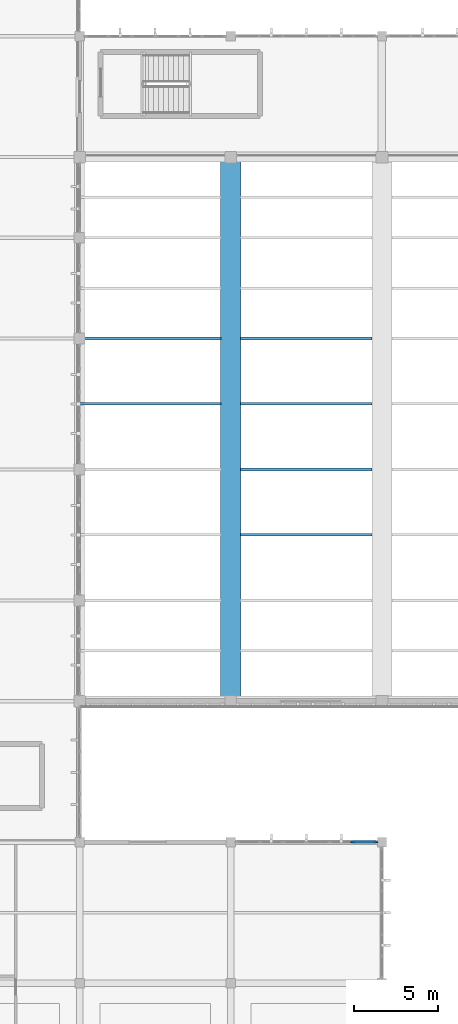
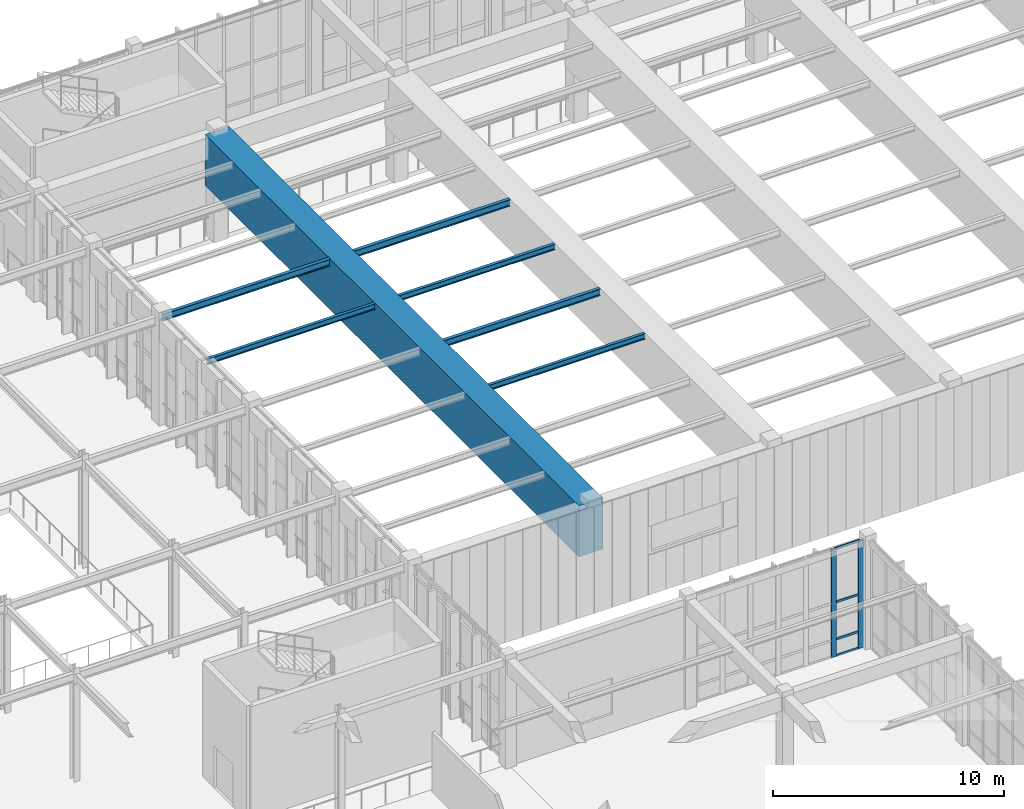
# One storey, part 27 of 105: 7 beams, 6 members, 1 element without a shape of its own.
"""IFC4 building model written with IfcOpenShell, lengths in metres."""

import ifcopenshell
import ifcopenshell.guid

model = None  # the IFC model being written
_history = None  # IfcOwnerHistory: only IFC2X3 demands one
_inside = {}  # id of a spatial element -> (the spatial element, [elements in it])
_under = {}  # id of a project, library or spatial element -> (it, [spatial elements below it])
_declared = {}  # id of a project -> (the project, [libraries it declares])
_typed = {}  # id of a type object -> (the type object, [elements of that type])
_made_of = {}  # id of a material, layer set ... -> (it, [elements and type objects made of it])


def new_model(schema):
    """Start an empty IFC model of exactly this schema.

    Asked for "IFC4X3", IfcOpenShell would pick the latest addendum, in which some entities
    have other attributes; the version numbers below select the first issue.
    IFC2X3 requires an IfcOwnerHistory on every rooted entity: one is made here for all.
    """
    global model, _history
    if schema == "IFC4X3":
        model = ifcopenshell.file(schema_version=(4, 3, 0, 0))
    else:
        model = ifcopenshell.file(schema=schema)
    _inside.clear()
    _under.clear()
    _declared.clear()
    _typed.clear()
    _made_of.clear()
    _history = None
    if model.schema == "IFC2X3":
        org = make("IfcOrganization", Name="unknown")
        user = make(
            "IfcPersonAndOrganization",
            ThePerson=make("IfcPerson", FamilyName="unknown"),
            TheOrganization=org,
        )
        app = make(
            "IfcApplication",
            ApplicationDeveloper=org,
            Version="unknown",
            ApplicationFullName="unknown",
            ApplicationIdentifier="unknown",
        )
        _history = make(
            "IfcOwnerHistory",
            OwningUser=user,
            OwningApplication=app,
            ChangeAction="ADDED",
            CreationDate=0,
        )
    return model


def make(cls, **values):
    """One entity of the class cls with the attributes given. An attribute that is None is left unset."""
    return model.create_entity(
        cls, **{name: value for name, value in values.items() if value is not None}
    )


def rooted(cls, **values):
    """An entity with a GlobalId (a new one), such as an element, a storey or a relation."""
    return make(cls, GlobalId=ifcopenshell.guid.new(), OwnerHistory=_history, **values)


def si_unit(unit_type, name, prefix=None):
    """IfcSIUnit, for example si_unit("LENGTHUNIT", "METRE", prefix="MILLI")."""
    return make("IfcSIUnit", UnitType=unit_type, Prefix=prefix, Name=name)


def assignment(units):
    """IfcUnitAssignment: the units of a project."""
    return None if units is None else make("IfcUnitAssignment", Units=units)


def point(xyz):
    """IfcCartesianPoint."""
    return None if xyz is None else make("IfcCartesianPoint", Coordinates=xyz)


def direction(xyz):
    """IfcDirection."""
    return None if xyz is None else make("IfcDirection", DirectionRatios=xyz)


def frame(location, z_axis=None, x_axis=None):
    """IfcAxis2Placement3D, a coordinate frame: its origin and axes. An axis left out is left unset."""
    return make(
        "IfcAxis2Placement3D",
        Location=point(location),
        Axis=direction(z_axis),
        RefDirection=direction(x_axis),
    )


def frame_2d(location, x_axis=None):
    """IfcAxis2Placement2D, a coordinate frame in the plane: its origin and x axis."""
    return make(
        "IfcAxis2Placement2D", Location=point(location), RefDirection=direction(x_axis)
    )


def origin():
    """The frame at (0, 0, 0) with its axes left unset."""
    return frame((0.0, 0.0, 0.0))


def origin_2d():
    """The frame at (0, 0) in the plane with its x axis left unset."""
    return frame_2d((0.0, 0.0))


def place(relative_to, where):
    """IfcLocalPlacement: puts the frame where relative to a parent placement (None: the world)."""
    return make(
        "IfcLocalPlacement", PlacementRelTo=relative_to, RelativePlacement=where
    )


def context(
    kind, dimensions, precision=None, world=None, true_north=None, identifier=None
):
    """IfcGeometricRepresentationContext, for example the 3D "Model" context."""
    return make(
        "IfcGeometricRepresentationContext",
        ContextIdentifier=identifier,
        ContextType=kind,
        CoordinateSpaceDimension=dimensions,
        Precision=precision,
        WorldCoordinateSystem=world,
        TrueNorth=true_north,
    )


def subcontext(parent, identifier, kind, view, scale=None):
    """IfcGeometricRepresentationSubContext, for example "Body" below "Model"."""
    return make(
        "IfcGeometricRepresentationSubContext",
        ContextIdentifier=identifier,
        ContextType=kind,
        ParentContext=parent,
        TargetScale=scale,
        TargetView=view,
    )


def project(units=None, contexts=None):
    """IfcProject with its units and contexts."""
    return rooted(
        "IfcProject",
        Name="project",
        RepresentationContexts=contexts,
        UnitsInContext=assignment(units),
    )


def spatial(cls, under=None, at=None, **own):
    """A site, building, storey or space (cls), placed at a placement, below another one or the project."""
    s = rooted(cls, ObjectPlacement=at, **own)
    if under is not None:
        _under.setdefault(under.id(), (under, []))[1].append(s)
    return s


def profile(cls, at=None, kind="AREA", **sizes):
    """A parametric profile (cls). Its sizes go by their IFC names, for example OverallWidth=200.0."""
    return make(cls, ProfileType=kind, Position=at, **sizes)


def rectangle(**sizes):
    """IfcRectangleProfileDef."""
    return profile("IfcRectangleProfileDef", **sizes)


def i_section(**sizes):
    """IfcIShapeProfileDef."""
    return profile("IfcIShapeProfileDef", **sizes)


def extrude(swept, where, along, depth):
    """IfcExtrudedAreaSolid: the profile swept, set in the frame where, extruded along a direction by depth."""
    return make(
        "IfcExtrudedAreaSolid",
        SweptArea=swept,
        Position=where,
        ExtrudedDirection=direction(along),
        Depth=depth,
    )


def shape(context_of_items, identifier, shape_type, items):
    """IfcShapeRepresentation: the items that make up one representation, for example the "Body"."""
    return make(
        "IfcShapeRepresentation",
        ContextOfItems=context_of_items,
        RepresentationIdentifier=identifier,
        RepresentationType=shape_type,
        Items=items,
    )


def material(Name=None, Category=None):
    """IfcMaterial."""
    return make("IfcMaterial", Name=Name, Category=Category)


def material_profile(
    of_material, cross_section, Name=None, Category=None, Priority=None
):
    """IfcMaterialProfile: a cross section and its material."""
    return make(
        "IfcMaterialProfile",
        Name=Name,
        Material=of_material,
        Profile=cross_section,
        Priority=Priority,
        Category=Category,
    )


def profile_set(profiles, Name=None, composite=None):
    """IfcMaterialProfileSet."""
    return make(
        "IfcMaterialProfileSet",
        Name=Name,
        MaterialProfiles=profiles,
        CompositeProfile=composite,
    )


def made_of(thing, what):
    """Note that an element or type object is made of a material, layer set ...; save() writes the relation."""
    if what is not None:
        _made_of.setdefault(what.id(), (what, []))[1].append(thing)
    return thing


def type_object(cls, material=None, **own):
    """A type object (cls), such as IfcWallType, which elements share."""
    return made_of(rooted(cls, **own), material)


def element(
    cls,
    number,
    at=None,
    inside=None,
    cuts=None,
    type_object=None,
    material=None,
    context=None,
    identifier="Body",
    shape_type=None,
    held_by="IfcProductDefinitionShape",
    body=None,
    shapes=None,
    **own,
):
    """One element of the class cls, such as IfcWall. Its Tag is "e" and its number.

    at: its placement. inside: the storey or other place that contains it. cuts: it is an
    opening in that element (IfcRelVoidsElement). A single representation is given by context,
    identifier, shape_type and body (its items); several are given by shapes. held_by: the class
    of the entity that holds the representations. save() writes the other relations.
    """
    e = rooted(cls, Tag="e%d" % number, ObjectPlacement=at, **own)
    if body is not None:
        shapes = [shape(context, identifier, shape_type, body)]
    if shapes is not None:
        e.Representation = make(held_by, Representations=shapes)
    if inside is not None:
        _inside.setdefault(inside.id(), (inside, []))[1].append(e)
    if cuts is not None:
        rooted(
            "IfcRelVoidsElement", RelatingBuildingElement=cuts, RelatedOpeningElement=e
        )
    if type_object is not None:
        _typed.setdefault(type_object.id(), (type_object, []))[1].append(e)
    return made_of(e, material)


def aggregate(whole, parts):
    """IfcRelAggregates: a whole, such as a stair, and the parts it consists of."""
    return rooted("IfcRelAggregates", RelatingObject=whole, RelatedObjects=parts)


def save(model, path):
    """Write the relations noted so far, then the file.

    IfcRelAggregates (storeys below a building ...), IfcRelContainedInSpatialStructure (elements
    in a storey), IfcRelDefinesByType, IfcRelAssociatesMaterial and IfcRelDeclares: one each for
    every whole, place, type object, material and project.
    """
    for whole, parts in _under.values():
        aggregate(whole, parts)
    for where, things in _inside.values():
        rooted(
            "IfcRelContainedInSpatialStructure",
            RelatedElements=things,
            RelatingStructure=where,
        )
    for kind, things in _typed.values():
        rooted("IfcRelDefinesByType", RelatedObjects=things, RelatingType=kind)
    for what, things in _made_of.values():
        rooted("IfcRelAssociatesMaterial", RelatedObjects=things, RelatingMaterial=what)
    for by, libraries in _declared.values():
        rooted("IfcRelDeclares", RelatingContext=by, RelatedDefinitions=libraries)
    model.write(path)


model = new_model("IFC4")

# Units and contexts
model_context = context("Model", 3, precision=1e-05, world=origin(), true_north=direction((0.0, 1.0)))
body_context = subcontext(model_context, "Body", "Model", "MODEL_VIEW")
ifc_project = project(units=[si_unit("LENGTHUNIT", "METRE"), si_unit("AREAUNIT", "SQUARE_METRE"), si_unit("VOLUMEUNIT", "CUBIC_METRE"), si_unit("PLANEANGLEUNIT", "RADIAN"), si_unit("MASSUNIT", "GRAM", prefix="KILO")], contexts=[model_context])

# Site, building, storey
site_placement = place(None, origin())
site = spatial("IfcSite", under=ifc_project, at=site_placement, CompositionType="ELEMENT")
building_placement = place(site_placement, origin())
building = spatial("IfcBuilding", under=site, at=building_placement, Name="Tizgana Railside Sports Hall", CompositionType="ELEMENT")
storey_placement = place(building_placement, frame((0.0, 0.0, 6.0)))
storey = spatial("IfcBuildingStorey", under=building, at=storey_placement, Name="L01", CompositionType="ELEMENT", Elevation=6.0)

# Curtain wall, members
ifc_material_1 = material(Name="Anodised aluminium and glass", Category="aluminium")
curtain_wall_type = type_object("IfcCurtainWallType", Name="Unitised Curtain Wall EastHall 1500", PredefinedType="NOTDEFINED", material=ifc_material_1)
curtain_wall_placement = place(storey_placement, origin())
curtain_wall = element("IfcCurtainWall", 1, at=curtain_wall_placement, inside=storey, type_object=curtain_wall_type, Name="L01 Curtain Wall CW-0095", PredefinedType="NOTDEFINED")
ifc_material_2 = material(Name="Anodised aluminium", Category="aluminium")
ifc_material_profile_1 = material_profile(ifc_material_2, rectangle(XDim=0.074951171875, YDim=0.25, at=origin_2d()), Name="Mullion 75x250")
ifc_profile_set_1 = profile_set([ifc_material_profile_1], Name="Anodised aluminium")
member_type_1 = type_object("IfcMemberType", Name="Mullion 75x250", PredefinedType="MULLION", material=ifc_profile_set_1)
member_1_placement = place(storey_placement, frame((96.080078125, 32.39990234375, 0.0), z_axis=(0.0, 0.0, 1.0), x_axis=(0.0, 1.0, 0.0)))
member_1 = element("IfcMember", 2, at=member_1_placement, type_object=member_type_1, Name="CW-08 mullion 6", PredefinedType="MULLION", context=body_context, shape_type="SweptSolid", body=[
    extrude(rectangle(XDim=0.074951171875, YDim=0.25, at=origin_2d()), origin(), (0.0, 0.0, 1.0), 5.719970703125),
])
member_2_placement = place(storey_placement, frame((97.4326171875, 32.39990234375, 0.0), z_axis=(0.0, 0.0, 1.0), x_axis=(0.0, 1.0, 0.0)))
member_2 = element("IfcMember", 3, at=member_2_placement, type_object=member_type_1, Name="CW-08 mullion 7", PredefinedType="MULLION", context=body_context, shape_type="SweptSolid", body=[
    extrude(rectangle(XDim=0.074951171875, YDim=0.25, at=origin_2d()), origin(), (0.0, 0.0, 1.0), 5.719970703125),
])

# Beams
ifc_material_3 = material(Name="Concrete C40/50", Category="concrete")
ifc_material_profile_2 = material_profile(ifc_material_3, rectangle(XDim=1.199951171875, YDim=2.699951171875, at=origin_2d()), Name="PTG 1200x2700")
ifc_profile_set_2 = profile_set([ifc_material_profile_2], Name="Concrete C40/50")
beam_type_1 = type_object("IfcBeamType", Name="Post-Tensioned Girder PTG 1200x2700", PredefinedType="BEAM", material=ifc_profile_set_2)
beam_1_placement = place(storey_placement, frame((88.800048828125, 40.800048828125, 4.285888671875), z_axis=(0.0, 1.0, 0.0), x_axis=(-1.0, 0.0, 0.0)))
element("IfcBeam", 4, at=beam_1_placement, inside=storey, type_object=beam_type_1, Name="L01 BEM-0250", PredefinedType="BEAM", context=body_context, shape_type="SweptSolid", body=[
    extrude(rectangle(XDim=1.199951171875, YDim=2.699951171875, at=origin_2d()), origin(), (0.0, 0.0, 1.0), 32.39990234375),
])
ifc_material_4 = material(Name="Steel S355J2", Category="steel")
ifc_material_profile_3 = material_profile(ifc_material_4, i_section(OverallWidth=0.14990234375, OverallDepth=0.300048828125, WebThickness=0.007080078125, FlangeThickness=0.0107421875, FilletRadius=0.014892578125, at=origin_2d()), Name="IPE 300")
ifc_profile_set_3 = profile_set([ifc_material_profile_3], Name="Steel S355J2")
beam_type_2 = type_object("IfcBeamType", Name="Steel Joist IPE 300", PredefinedType="JOIST", material=ifc_profile_set_3)
beam_2_placement = place(storey_placement, frame((79.800048828125, 58.5, 5.486083984375), z_axis=(1.0, 0.0, 0.0), x_axis=(0.0, 1.0, 0.0)))
element("IfcBeam", 5, at=beam_2_placement, inside=storey, type_object=beam_type_2, Name="L01 BEM-0270", PredefinedType="JOIST", context=body_context, shape_type="SweptSolid", body=[
    extrude(i_section(OverallWidth=0.14990234375, OverallDepth=0.300048828125, WebThickness=0.007080078125, FlangeThickness=0.0107421875, FilletRadius=0.014892578125, at=origin_2d()), origin(), (0.0, 0.0, 1.0), 8.405029296875),
])
for number, where, z_axis, x_axis, name in (
    (6, (89.39501953125, 50.699951171875, 5.486083984375), (1.0, 0.0, 0.0), (0.0, 1.0, 0.0), "L01 BEM-0281"),
    (7, (89.39501953125, 58.5, 5.486083984375), (1.0, 0.0, 0.0), (0.0, 1.0, 0.0), "L01 BEM-0282"),
):
    element("IfcBeam", number, at=place(storey_placement, frame(where, z_axis=z_axis, x_axis=x_axis)), inside=storey, type_object=beam_type_2, Name=name, PredefinedType="JOIST", context=body_context, shape_type="SweptSolid", body=[
        extrude(i_section(OverallWidth=0.14990234375, OverallDepth=0.300048828125, WebThickness=0.007080078125, FlangeThickness=0.0107421875, FilletRadius=0.014892578125, at=origin_2d()), origin(), (0.0, 0.0, 1.0), 7.81005859375),
    ])
ifc_material_profile_4 = material_profile(ifc_material_4, i_section(OverallWidth=0.169921875, OverallDepth=0.360107421875, WebThickness=0.008056640625, FlangeThickness=0.0126953125, FilletRadius=0.01806640625, at=origin_2d()), Name="IPE 360")
ifc_profile_set_4 = profile_set([ifc_material_profile_4], Name="Steel S355J2")
beam_type_3 = type_object("IfcBeamType", Name="Steel Joist IPE 360", PredefinedType="JOIST", material=ifc_profile_set_4)
beam_3_placement = place(storey_placement, frame((79.800048828125, 62.39990234375, 5.4560546875), z_axis=(1.0, 0.0, 0.0), x_axis=(0.0, 1.0, 0.0)))
element("IfcBeam", 8, at=beam_3_placement, inside=storey, type_object=beam_type_3, Name="L01 BEM-0264", PredefinedType="JOIST", context=body_context, shape_type="SweptSolid", body=[
    extrude(i_section(OverallWidth=0.169921875, OverallDepth=0.360107421875, WebThickness=0.008056640625, FlangeThickness=0.0126953125, FilletRadius=0.01806640625, at=origin_2d()), origin(), (0.0, 0.0, 1.0), 8.405029296875),
])
for number, where, z_axis, x_axis, name in (
    (9, (89.39501953125, 54.60009765625, 5.4560546875), (1.0, 0.0, 0.0), (0.0, 1.0, 0.0), "L01 BEM-0275"),
    (10, (89.39501953125, 62.39990234375, 5.4560546875), (1.0, 0.0, 0.0), (0.0, 1.0, 0.0), "L01 BEM-0276"),
):
    element("IfcBeam", number, at=place(storey_placement, frame(where, z_axis=z_axis, x_axis=x_axis)), inside=storey, type_object=beam_type_3, Name=name, PredefinedType="JOIST", context=body_context, shape_type="SweptSolid", body=[
        extrude(i_section(OverallWidth=0.169921875, OverallDepth=0.360107421875, WebThickness=0.008056640625, FlangeThickness=0.0126953125, FilletRadius=0.01806640625, at=origin_2d()), origin(), (0.0, 0.0, 1.0), 7.81005859375),
    ])

# Member
ifc_material_profile_5 = material_profile(ifc_material_2, rectangle(XDim=0.054931640625, YDim=0.1201171875, at=origin_2d()), Name="Transom 55x120")
ifc_profile_set_5 = profile_set([ifc_material_profile_5], Name="Anodised aluminium")
member_type_2 = type_object("IfcMemberType", Name="Transom 55x120", PredefinedType="USERDEFINED", material=ifc_profile_set_5)
member_3_placement = place(storey_placement, frame((96.117431640625, 32.39990234375, 0.027587890625), z_axis=(1.0, 0.0, 0.0), x_axis=(0.0, 1.0, 0.0)))
member_3 = element("IfcMember", 11, at=member_3_placement, type_object=member_type_2, Name="CW-08 transom 6.1", ObjectType="TRANSOM", PredefinedType="USERDEFINED", context=body_context, shape_type="SweptSolid", body=[
    extrude(rectangle(XDim=0.054931640625, YDim=0.1201171875, at=origin_2d()), origin(), (0.0, 0.0, 1.0), 1.277587890625),
])

member_4_placement = place(storey_placement, frame((96.117431640625, 32.39990234375, 0.89990234375), z_axis=(1.0, 0.0, 0.0), x_axis=(0.0, 1.0, 0.0)))
member_4 = element("IfcMember", 12, at=member_4_placement, type_object=member_type_2, Name="CW-08 transom 6.2", ObjectType="TRANSOM", PredefinedType="USERDEFINED", context=body_context, shape_type="SweptSolid", body=[
    extrude(rectangle(XDim=0.054931640625, YDim=0.1201171875, at=origin_2d()), origin(), (0.0, 0.0, 1.0), 1.277587890625),
])

member_5_placement = place(storey_placement, frame((96.117431640625, 32.39990234375, 2.860107421875), z_axis=(1.0, 0.0, 0.0), x_axis=(0.0, 1.0, 0.0)))
member_5 = element("IfcMember", 13, at=member_5_placement, type_object=member_type_2, Name="CW-08 transom 6.3", ObjectType="TRANSOM", PredefinedType="USERDEFINED", context=body_context, shape_type="SweptSolid", body=[
    extrude(rectangle(XDim=0.054931640625, YDim=0.1201171875, at=origin_2d()), origin(), (0.0, 0.0, 1.0), 1.277587890625),
])

member_6_placement = place(storey_placement, frame((96.117431640625, 32.39990234375, 5.6923828125), z_axis=(1.0, 0.0, 0.0), x_axis=(0.0, 1.0, 0.0)))
member_6 = element("IfcMember", 14, at=member_6_placement, type_object=member_type_2, Name="CW-08 transom 6.4", ObjectType="TRANSOM", PredefinedType="USERDEFINED", context=body_context, shape_type="SweptSolid", body=[
    extrude(rectangle(XDim=0.054931640625, YDim=0.1201171875, at=origin_2d()), origin(), (0.0, 0.0, 1.0), 1.277587890625),
])

aggregate(curtain_wall, [member_1, member_2, member_3, member_4, member_5, member_6])

save(model, "model.ifc")
